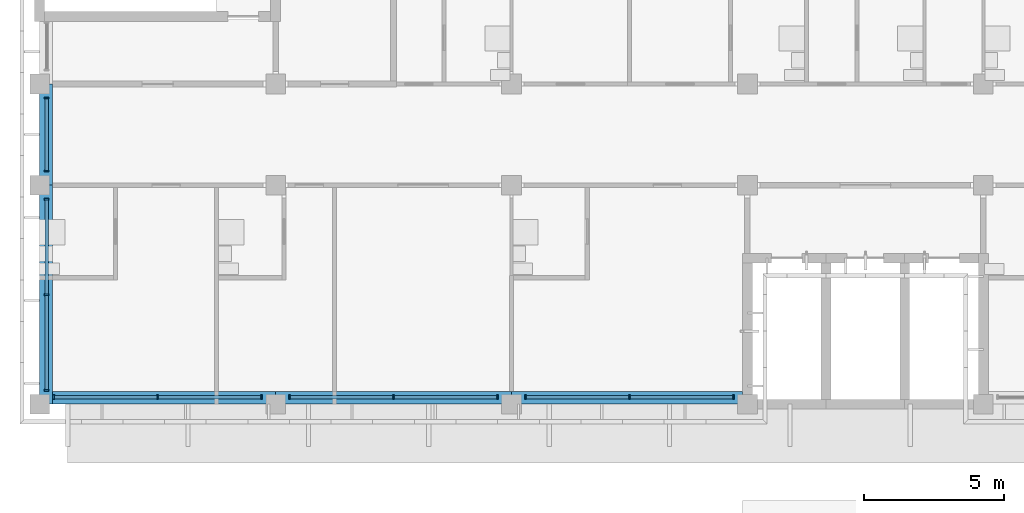
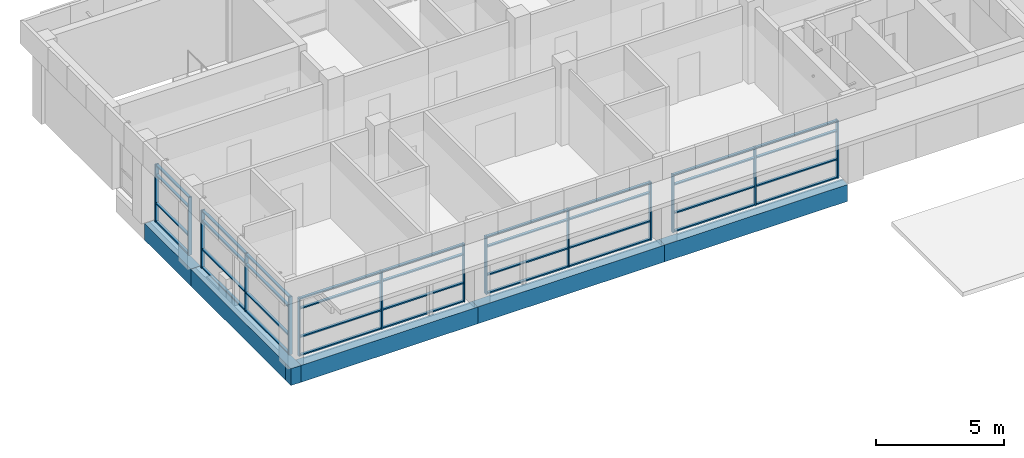
# One storey, part 2 of 36: 50 members, 5 beams, 5 elements without a shape of their own.
"""IFC4 building model written with IfcOpenShell, lengths in metres."""

from ifc_helpers import new_model, si_unit, direction, frame, origin, origin_2d, place, context, subcontext, project, spatial, rectangle, extrude, material, material_profile, profile_set, type_object, element, aggregate, save


model = new_model("IFC4")

# Units and contexts
model_context = context("Model", 3, precision=1e-05, world=origin(), true_north=direction((0.0, 1.0)))
body_context = subcontext(model_context, "Body", "Model", "MODEL_VIEW")
ifc_project = project(units=[si_unit("LENGTHUNIT", "METRE"), si_unit("AREAUNIT", "SQUARE_METRE"), si_unit("VOLUMEUNIT", "CUBIC_METRE"), si_unit("PLANEANGLEUNIT", "RADIAN"), si_unit("MASSUNIT", "GRAM", prefix="KILO")], contexts=[model_context])

# Site, building, storey
site_placement = place(None, origin())
site = spatial("IfcSite", under=ifc_project, at=site_placement, CompositionType="ELEMENT")
building_placement = place(site_placement, origin())
building = spatial("IfcBuilding", under=site, at=building_placement, Name="Bougainvillea Quay General Hospital", CompositionType="ELEMENT")
storey_placement = place(building_placement, frame((0.0, 0.0, 32.699951171875)))
storey = spatial("IfcBuildingStorey", under=building, at=storey_placement, Name="L07", CompositionType="ELEMENT", Elevation=32.699951171875)

# Curtain wall, members
ifc_material_1 = material(Name="Aluminium curtain wall system, powder-coated glazed", Category="aluminium")
curtain_wall_type_1 = type_object("IfcCurtainWallType", Name="Unitised curtain wall CW-2660", PredefinedType="NOTDEFINED", material=ifc_material_1)
curtain_wall_1_placement = place(storey_placement, origin())
curtain_wall_1 = element("IfcCurtainWall", 1, at=curtain_wall_1_placement, inside=storey, type_object=curtain_wall_type_1, Name="CW-4200 01", PredefinedType="NOTDEFINED")
ifc_material_2 = material(Name="Aluminium mullion, powder-coated charcoal", Category="aluminium")
ifc_material_profile_1 = material_profile(ifc_material_2, rectangle(XDim=0.159912109375, YDim=0.06005859375, at=origin_2d()))
ifc_profile_set_1 = profile_set([ifc_material_profile_1], Name="Aluminium mullion, powder-coated charcoal")
member_type_1 = type_object("IfcMemberType", Name="Curtain wall mullion 160x60", PredefinedType="MULLION", material=ifc_profile_set_1)
member_1_placement = place(storey_placement, frame((42.25, 151.300048828125, 0.0), z_axis=(0.0, 0.0, 1.0), x_axis=(1.0, 0.0, 0.0)))
member_1 = element("IfcMember", 2, at=member_1_placement, type_object=member_type_1, Name="CW-4200 mullion 1", PredefinedType="MULLION", context=body_context, shape_type="SweptSolid", body=[
    extrude(rectangle(XDim=0.159912109375, YDim=0.06005859375, at=origin_2d()), origin(), (0.0, 0.0, 1.0), 2.75),
])
member_2_placement = place(storey_placement, frame((42.25, 148.699951171875, 0.0), z_axis=(0.0, 0.0, 1.0), x_axis=(1.0, 0.0, 0.0)))
member_2 = element("IfcMember", 3, at=member_2_placement, type_object=member_type_1, Name="CW-4200 mullion 2", PredefinedType="MULLION", context=body_context, shape_type="SweptSolid", body=[
    extrude(rectangle(XDim=0.159912109375, YDim=0.06005859375, at=origin_2d()), origin(), (0.0, 0.0, 1.0), 2.75),
])

curtain_wall_type_2 = type_object("IfcCurtainWallType", Name="Unitised curtain wall CW-3430", PredefinedType="NOTDEFINED", material=ifc_material_1)
curtain_wall_2_placement = place(storey_placement, origin())
curtain_wall_2 = element("IfcCurtainWall", 4, at=curtain_wall_2_placement, inside=storey, type_object=curtain_wall_type_2, Name="CW-4200 02", PredefinedType="NOTDEFINED")
member_3_placement = place(storey_placement, frame((42.25, 147.699951171875, 0.0), z_axis=(0.0, 0.0, 1.0), x_axis=(1.0, 0.0, 0.0)))
member_3 = element("IfcMember", 5, at=member_3_placement, type_object=member_type_1, Name="CW-4200 mullion 1", PredefinedType="MULLION", context=body_context, shape_type="SweptSolid", body=[
    extrude(rectangle(XDim=0.159912109375, YDim=0.06005859375, at=origin_2d()), origin(), (0.0, 0.0, 1.0), 2.75),
])
member_4_placement = place(storey_placement, frame((42.25, 144.300048828125, 0.0), z_axis=(0.0, 0.0, 1.0), x_axis=(1.0, 0.0, 0.0)))
member_4 = element("IfcMember", 6, at=member_4_placement, type_object=member_type_1, Name="CW-4200 mullion 2", PredefinedType="MULLION", context=body_context, shape_type="SweptSolid", body=[
    extrude(rectangle(XDim=0.159912109375, YDim=0.06005859375, at=origin_2d()), origin(), (0.0, 0.0, 1.0), 2.75),
])
member_5_placement = place(storey_placement, frame((42.25, 140.89990234375, 0.0), z_axis=(0.0, 0.0, 1.0), x_axis=(1.0, 0.0, 0.0)))
member_5 = element("IfcMember", 7, at=member_5_placement, type_object=member_type_1, Name="CW-4200 mullion 3", PredefinedType="MULLION", context=body_context, shape_type="SweptSolid", body=[
    extrude(rectangle(XDim=0.159912109375, YDim=0.06005859375, at=origin_2d()), origin(), (0.0, 0.0, 1.0), 2.75),
])

curtain_wall_type_3 = type_object("IfcCurtainWallType", Name="Unitised curtain wall CW-3730", PredefinedType="NOTDEFINED", material=ifc_material_1)
curtain_wall_3_placement = place(storey_placement, origin())
curtain_wall_3 = element("IfcCurtainWall", 8, at=curtain_wall_3_placement, inside=storey, type_object=curtain_wall_type_3, Name="CW-4200 00", PredefinedType="NOTDEFINED")
member_6_placement = place(storey_placement, frame((42.5, 140.64990234375, 0.0), z_axis=(0.0, 0.0, 1.0), x_axis=(0.0, 1.0, 0.0)))
member_6 = element("IfcMember", 9, at=member_6_placement, type_object=member_type_1, Name="CW-4200 mullion 1", PredefinedType="MULLION", context=body_context, shape_type="SweptSolid", body=[
    extrude(rectangle(XDim=0.159912109375, YDim=0.06005859375, at=origin_2d()), origin(), (0.0, 0.0, 1.0), 2.75),
])
member_7_placement = place(storey_placement, frame((46.199951171875, 140.64990234375, 0.0), z_axis=(0.0, 0.0, 1.0), x_axis=(0.0, 1.0, 0.0)))
member_7 = element("IfcMember", 10, at=member_7_placement, type_object=member_type_1, Name="CW-4200 mullion 2", PredefinedType="MULLION", context=body_context, shape_type="SweptSolid", body=[
    extrude(rectangle(XDim=0.159912109375, YDim=0.06005859375, at=origin_2d()), origin(), (0.0, 0.0, 1.0), 2.75),
])
member_8_placement = place(storey_placement, frame((49.89990234375, 140.64990234375, 0.0), z_axis=(0.0, 0.0, 1.0), x_axis=(0.0, 1.0, 0.0)))
member_8 = element("IfcMember", 11, at=member_8_placement, type_object=member_type_1, Name="CW-4200 mullion 3", PredefinedType="MULLION", context=body_context, shape_type="SweptSolid", body=[
    extrude(rectangle(XDim=0.159912109375, YDim=0.06005859375, at=origin_2d()), origin(), (0.0, 0.0, 1.0), 2.75),
])

curtain_wall_4_placement = place(storey_placement, origin())
curtain_wall_4 = element("IfcCurtainWall", 12, at=curtain_wall_4_placement, inside=storey, type_object=curtain_wall_type_3, Name="CW-4200 01", PredefinedType="NOTDEFINED")
member_9_placement = place(storey_placement, frame((50.89990234375, 140.64990234375, 0.0), z_axis=(0.0, 0.0, 1.0), x_axis=(0.0, 1.0, 0.0)))
member_9 = element("IfcMember", 13, at=member_9_placement, type_object=member_type_1, Name="CW-4200 mullion 1", PredefinedType="MULLION", context=body_context, shape_type="SweptSolid", body=[
    extrude(rectangle(XDim=0.159912109375, YDim=0.06005859375, at=origin_2d()), origin(), (0.0, 0.0, 1.0), 2.75),
])
member_10_placement = place(storey_placement, frame((54.60009765625, 140.64990234375, 0.0), z_axis=(0.0, 0.0, 1.0), x_axis=(0.0, 1.0, 0.0)))
member_10 = element("IfcMember", 14, at=member_10_placement, type_object=member_type_1, Name="CW-4200 mullion 2", PredefinedType="MULLION", context=body_context, shape_type="SweptSolid", body=[
    extrude(rectangle(XDim=0.159912109375, YDim=0.06005859375, at=origin_2d()), origin(), (0.0, 0.0, 1.0), 2.75),
])
member_11_placement = place(storey_placement, frame((58.300048828125, 140.64990234375, 0.0), z_axis=(0.0, 0.0, 1.0), x_axis=(0.0, 1.0, 0.0)))
member_11 = element("IfcMember", 15, at=member_11_placement, type_object=member_type_1, Name="CW-4200 mullion 3", PredefinedType="MULLION", context=body_context, shape_type="SweptSolid", body=[
    extrude(rectangle(XDim=0.159912109375, YDim=0.06005859375, at=origin_2d()), origin(), (0.0, 0.0, 1.0), 2.75),
])

curtain_wall_5_placement = place(storey_placement, origin())
curtain_wall_5 = element("IfcCurtainWall", 16, at=curtain_wall_5_placement, inside=storey, type_object=curtain_wall_type_3, Name="CW-4200 02", PredefinedType="NOTDEFINED")
member_12_placement = place(storey_placement, frame((59.300048828125, 140.64990234375, 0.0), z_axis=(0.0, 0.0, 1.0), x_axis=(0.0, 1.0, 0.0)))
member_12 = element("IfcMember", 17, at=member_12_placement, type_object=member_type_1, Name="CW-4200 mullion 1", PredefinedType="MULLION", context=body_context, shape_type="SweptSolid", body=[
    extrude(rectangle(XDim=0.159912109375, YDim=0.06005859375, at=origin_2d()), origin(), (0.0, 0.0, 1.0), 2.75),
])
member_13_placement = place(storey_placement, frame((63.0, 140.64990234375, 0.0), z_axis=(0.0, 0.0, 1.0), x_axis=(0.0, 1.0, 0.0)))
member_13 = element("IfcMember", 18, at=member_13_placement, type_object=member_type_1, Name="CW-4200 mullion 2", PredefinedType="MULLION", context=body_context, shape_type="SweptSolid", body=[
    extrude(rectangle(XDim=0.159912109375, YDim=0.06005859375, at=origin_2d()), origin(), (0.0, 0.0, 1.0), 2.75),
])
member_14_placement = place(storey_placement, frame((66.699951171875, 140.64990234375, 0.0), z_axis=(0.0, 0.0, 1.0), x_axis=(0.0, 1.0, 0.0)))
member_14 = element("IfcMember", 19, at=member_14_placement, type_object=member_type_1, Name="CW-4200 mullion 3", PredefinedType="MULLION", context=body_context, shape_type="SweptSolid", body=[
    extrude(rectangle(XDim=0.159912109375, YDim=0.06005859375, at=origin_2d()), origin(), (0.0, 0.0, 1.0), 2.75),
])

# Member
ifc_material_3 = material(Name="Aluminium transom, powder-coated charcoal", Category="aluminium")
ifc_material_profile_2 = material_profile(ifc_material_3, rectangle(XDim=0.1201171875, YDim=0.06005859375, at=origin_2d()))
ifc_profile_set_2 = profile_set([ifc_material_profile_2], Name="Aluminium transom, powder-coated charcoal")
member_type_2 = type_object("IfcMemberType", Name="Curtain wall transom 120x60", PredefinedType="USERDEFINED", material=ifc_profile_set_2)
member_15_placement = place(storey_placement, frame((42.25, 151.27001953125, 0.030029296875), z_axis=(0.0, -1.0, 0.0), x_axis=(1.0, 0.0, 0.0)))
member_15 = element("IfcMember", 20, at=member_15_placement, type_object=member_type_2, Name="CW-4200 transom 1.1", ObjectType="TRANSOM", PredefinedType="USERDEFINED", context=body_context, shape_type="SweptSolid", body=[
    extrude(rectangle(XDim=0.1201171875, YDim=0.06005859375, at=origin_2d()), origin(), (0.0, 0.0, 1.0), 2.5400390625),
])

member_16_placement = place(storey_placement, frame((42.25, 151.27001953125, 0.900146484375), z_axis=(0.0, -1.0, 0.0), x_axis=(1.0, 0.0, 0.0)))
member_16 = element("IfcMember", 21, at=member_16_placement, type_object=member_type_2, Name="CW-4200 transom 1.2", ObjectType="TRANSOM", PredefinedType="USERDEFINED", context=body_context, shape_type="SweptSolid", body=[
    extrude(rectangle(XDim=0.1201171875, YDim=0.06005859375, at=origin_2d()), origin(), (0.0, 0.0, 1.0), 2.5400390625),
])

member_17_placement = place(storey_placement, frame((42.25, 151.27001953125, 2.25), z_axis=(0.0, -1.0, 0.0), x_axis=(1.0, 0.0, 0.0)))
member_17 = element("IfcMember", 22, at=member_17_placement, type_object=member_type_2, Name="CW-4200 transom 1.3", ObjectType="TRANSOM", PredefinedType="USERDEFINED", context=body_context, shape_type="SweptSolid", body=[
    extrude(rectangle(XDim=0.1201171875, YDim=0.06005859375, at=origin_2d()), origin(), (0.0, 0.0, 1.0), 2.5400390625),
])

member_18_placement = place(storey_placement, frame((42.25, 151.27001953125, 2.719970703125), z_axis=(0.0, -1.0, 0.0), x_axis=(1.0, 0.0, 0.0)))
member_18 = element("IfcMember", 23, at=member_18_placement, type_object=member_type_2, Name="CW-4200 transom 1.4", ObjectType="TRANSOM", PredefinedType="USERDEFINED", context=body_context, shape_type="SweptSolid", body=[
    extrude(rectangle(XDim=0.1201171875, YDim=0.06005859375, at=origin_2d()), origin(), (0.0, 0.0, 1.0), 2.5400390625),
])

aggregate(curtain_wall_1, [member_1, member_2, member_15, member_16, member_17, member_18])

member_19_placement = place(storey_placement, frame((42.25, 147.669921875, 0.030029296875), z_axis=(0.0, -1.0, 0.0), x_axis=(1.0, 0.0, 0.0)))
member_19 = element("IfcMember", 24, at=member_19_placement, type_object=member_type_2, Name="CW-4200 transom 1.1", ObjectType="TRANSOM", PredefinedType="USERDEFINED", context=body_context, shape_type="SweptSolid", body=[
    extrude(rectangle(XDim=0.1201171875, YDim=0.06005859375, at=origin_2d()), origin(), (0.0, 0.0, 1.0), 3.33984375),
])

member_20_placement = place(storey_placement, frame((42.25, 147.669921875, 0.900146484375), z_axis=(0.0, -1.0, 0.0), x_axis=(1.0, 0.0, 0.0)))
member_20 = element("IfcMember", 25, at=member_20_placement, type_object=member_type_2, Name="CW-4200 transom 1.2", ObjectType="TRANSOM", PredefinedType="USERDEFINED", context=body_context, shape_type="SweptSolid", body=[
    extrude(rectangle(XDim=0.1201171875, YDim=0.06005859375, at=origin_2d()), origin(), (0.0, 0.0, 1.0), 3.33984375),
])

member_21_placement = place(storey_placement, frame((42.25, 147.669921875, 2.25), z_axis=(0.0, -1.0, 0.0), x_axis=(1.0, 0.0, 0.0)))
member_21 = element("IfcMember", 26, at=member_21_placement, type_object=member_type_2, Name="CW-4200 transom 1.3", ObjectType="TRANSOM", PredefinedType="USERDEFINED", context=body_context, shape_type="SweptSolid", body=[
    extrude(rectangle(XDim=0.1201171875, YDim=0.06005859375, at=origin_2d()), origin(), (0.0, 0.0, 1.0), 3.33984375),
])

member_22_placement = place(storey_placement, frame((42.25, 147.669921875, 2.719970703125), z_axis=(0.0, -1.0, 0.0), x_axis=(1.0, 0.0, 0.0)))
member_22 = element("IfcMember", 27, at=member_22_placement, type_object=member_type_2, Name="CW-4200 transom 1.4", ObjectType="TRANSOM", PredefinedType="USERDEFINED", context=body_context, shape_type="SweptSolid", body=[
    extrude(rectangle(XDim=0.1201171875, YDim=0.06005859375, at=origin_2d()), origin(), (0.0, 0.0, 1.0), 3.33984375),
])

member_23_placement = place(storey_placement, frame((42.25, 144.27001953125, 0.030029296875), z_axis=(0.0, -1.0, 0.0), x_axis=(1.0, 0.0, 0.0)))
member_23 = element("IfcMember", 28, at=member_23_placement, type_object=member_type_2, Name="CW-4200 transom 2.1", ObjectType="TRANSOM", PredefinedType="USERDEFINED", context=body_context, shape_type="SweptSolid", body=[
    extrude(rectangle(XDim=0.1201171875, YDim=0.06005859375, at=origin_2d()), origin(), (0.0, 0.0, 1.0), 3.340087890625),
])

member_24_placement = place(storey_placement, frame((42.25, 144.27001953125, 0.900146484375), z_axis=(0.0, -1.0, 0.0), x_axis=(1.0, 0.0, 0.0)))
member_24 = element("IfcMember", 29, at=member_24_placement, type_object=member_type_2, Name="CW-4200 transom 2.2", ObjectType="TRANSOM", PredefinedType="USERDEFINED", context=body_context, shape_type="SweptSolid", body=[
    extrude(rectangle(XDim=0.1201171875, YDim=0.06005859375, at=origin_2d()), origin(), (0.0, 0.0, 1.0), 3.340087890625),
])

member_25_placement = place(storey_placement, frame((42.25, 144.27001953125, 2.25), z_axis=(0.0, -1.0, 0.0), x_axis=(1.0, 0.0, 0.0)))
member_25 = element("IfcMember", 30, at=member_25_placement, type_object=member_type_2, Name="CW-4200 transom 2.3", ObjectType="TRANSOM", PredefinedType="USERDEFINED", context=body_context, shape_type="SweptSolid", body=[
    extrude(rectangle(XDim=0.1201171875, YDim=0.06005859375, at=origin_2d()), origin(), (0.0, 0.0, 1.0), 3.340087890625),
])

member_26_placement = place(storey_placement, frame((42.25, 144.27001953125, 2.719970703125), z_axis=(0.0, -1.0, 0.0), x_axis=(1.0, 0.0, 0.0)))
member_26 = element("IfcMember", 31, at=member_26_placement, type_object=member_type_2, Name="CW-4200 transom 2.4", ObjectType="TRANSOM", PredefinedType="USERDEFINED", context=body_context, shape_type="SweptSolid", body=[
    extrude(rectangle(XDim=0.1201171875, YDim=0.06005859375, at=origin_2d()), origin(), (0.0, 0.0, 1.0), 3.340087890625),
])

aggregate(curtain_wall_2, [member_3, member_4, member_5, member_19, member_20, member_21, member_22, member_23, member_24, member_25, member_26])

member_27_placement = place(storey_placement, frame((42.530029296875, 140.64990234375, 0.030029296875), z_axis=(1.0, 0.0, 0.0), x_axis=(0.0, 1.0, 0.0)))
member_27 = element("IfcMember", 32, at=member_27_placement, type_object=member_type_2, Name="CW-4200 transom 1.1", ObjectType="TRANSOM", PredefinedType="USERDEFINED", context=body_context, shape_type="SweptSolid", body=[
    extrude(rectangle(XDim=0.1201171875, YDim=0.06005859375, at=origin_2d()), origin(), (0.0, 0.0, 1.0), 3.639892578125),
])

member_28_placement = place(storey_placement, frame((42.530029296875, 140.64990234375, 0.900146484375), z_axis=(1.0, 0.0, 0.0), x_axis=(0.0, 1.0, 0.0)))
member_28 = element("IfcMember", 33, at=member_28_placement, type_object=member_type_2, Name="CW-4200 transom 1.2", ObjectType="TRANSOM", PredefinedType="USERDEFINED", context=body_context, shape_type="SweptSolid", body=[
    extrude(rectangle(XDim=0.1201171875, YDim=0.06005859375, at=origin_2d()), origin(), (0.0, 0.0, 1.0), 3.639892578125),
])

member_29_placement = place(storey_placement, frame((42.530029296875, 140.64990234375, 2.25), z_axis=(1.0, 0.0, 0.0), x_axis=(0.0, 1.0, 0.0)))
member_29 = element("IfcMember", 34, at=member_29_placement, type_object=member_type_2, Name="CW-4200 transom 1.3", ObjectType="TRANSOM", PredefinedType="USERDEFINED", context=body_context, shape_type="SweptSolid", body=[
    extrude(rectangle(XDim=0.1201171875, YDim=0.06005859375, at=origin_2d()), origin(), (0.0, 0.0, 1.0), 3.639892578125),
])

member_30_placement = place(storey_placement, frame((42.530029296875, 140.64990234375, 2.719970703125), z_axis=(1.0, 0.0, 0.0), x_axis=(0.0, 1.0, 0.0)))
member_30 = element("IfcMember", 35, at=member_30_placement, type_object=member_type_2, Name="CW-4200 transom 1.4", ObjectType="TRANSOM", PredefinedType="USERDEFINED", context=body_context, shape_type="SweptSolid", body=[
    extrude(rectangle(XDim=0.1201171875, YDim=0.06005859375, at=origin_2d()), origin(), (0.0, 0.0, 1.0), 3.639892578125),
])

member_31_placement = place(storey_placement, frame((46.22998046875, 140.64990234375, 0.030029296875), z_axis=(1.0, 0.0, 0.0), x_axis=(0.0, 1.0, 0.0)))
member_31 = element("IfcMember", 36, at=member_31_placement, type_object=member_type_2, Name="CW-4200 transom 2.1", ObjectType="TRANSOM", PredefinedType="USERDEFINED", context=body_context, shape_type="SweptSolid", body=[
    extrude(rectangle(XDim=0.1201171875, YDim=0.06005859375, at=origin_2d()), origin(), (0.0, 0.0, 1.0), 3.64013671875),
])

member_32_placement = place(storey_placement, frame((46.22998046875, 140.64990234375, 0.900146484375), z_axis=(1.0, 0.0, 0.0), x_axis=(0.0, 1.0, 0.0)))
member_32 = element("IfcMember", 37, at=member_32_placement, type_object=member_type_2, Name="CW-4200 transom 2.2", ObjectType="TRANSOM", PredefinedType="USERDEFINED", context=body_context, shape_type="SweptSolid", body=[
    extrude(rectangle(XDim=0.1201171875, YDim=0.06005859375, at=origin_2d()), origin(), (0.0, 0.0, 1.0), 3.64013671875),
])

member_33_placement = place(storey_placement, frame((46.22998046875, 140.64990234375, 2.25), z_axis=(1.0, 0.0, 0.0), x_axis=(0.0, 1.0, 0.0)))
member_33 = element("IfcMember", 38, at=member_33_placement, type_object=member_type_2, Name="CW-4200 transom 2.3", ObjectType="TRANSOM", PredefinedType="USERDEFINED", context=body_context, shape_type="SweptSolid", body=[
    extrude(rectangle(XDim=0.1201171875, YDim=0.06005859375, at=origin_2d()), origin(), (0.0, 0.0, 1.0), 3.64013671875),
])

member_34_placement = place(storey_placement, frame((46.22998046875, 140.64990234375, 2.719970703125), z_axis=(1.0, 0.0, 0.0), x_axis=(0.0, 1.0, 0.0)))
member_34 = element("IfcMember", 39, at=member_34_placement, type_object=member_type_2, Name="CW-4200 transom 2.4", ObjectType="TRANSOM", PredefinedType="USERDEFINED", context=body_context, shape_type="SweptSolid", body=[
    extrude(rectangle(XDim=0.1201171875, YDim=0.06005859375, at=origin_2d()), origin(), (0.0, 0.0, 1.0), 3.64013671875),
])

aggregate(curtain_wall_3, [member_6, member_7, member_8, member_27, member_28, member_29, member_30, member_31, member_32, member_33, member_34])

member_35_placement = place(storey_placement, frame((50.929931640625, 140.64990234375, 0.030029296875), z_axis=(1.0, 0.0, 0.0), x_axis=(0.0, 1.0, 0.0)))
member_35 = element("IfcMember", 40, at=member_35_placement, type_object=member_type_2, Name="CW-4200 transom 1.1", ObjectType="TRANSOM", PredefinedType="USERDEFINED", context=body_context, shape_type="SweptSolid", body=[
    extrude(rectangle(XDim=0.1201171875, YDim=0.06005859375, at=origin_2d()), origin(), (0.0, 0.0, 1.0), 3.64013671875),
])

member_36_placement = place(storey_placement, frame((50.929931640625, 140.64990234375, 0.900146484375), z_axis=(1.0, 0.0, 0.0), x_axis=(0.0, 1.0, 0.0)))
member_36 = element("IfcMember", 41, at=member_36_placement, type_object=member_type_2, Name="CW-4200 transom 1.2", ObjectType="TRANSOM", PredefinedType="USERDEFINED", context=body_context, shape_type="SweptSolid", body=[
    extrude(rectangle(XDim=0.1201171875, YDim=0.06005859375, at=origin_2d()), origin(), (0.0, 0.0, 1.0), 3.64013671875),
])

member_37_placement = place(storey_placement, frame((50.929931640625, 140.64990234375, 2.25), z_axis=(1.0, 0.0, 0.0), x_axis=(0.0, 1.0, 0.0)))
member_37 = element("IfcMember", 42, at=member_37_placement, type_object=member_type_2, Name="CW-4200 transom 1.3", ObjectType="TRANSOM", PredefinedType="USERDEFINED", context=body_context, shape_type="SweptSolid", body=[
    extrude(rectangle(XDim=0.1201171875, YDim=0.06005859375, at=origin_2d()), origin(), (0.0, 0.0, 1.0), 3.64013671875),
])

member_38_placement = place(storey_placement, frame((50.929931640625, 140.64990234375, 2.719970703125), z_axis=(1.0, 0.0, 0.0), x_axis=(0.0, 1.0, 0.0)))
member_38 = element("IfcMember", 43, at=member_38_placement, type_object=member_type_2, Name="CW-4200 transom 1.4", ObjectType="TRANSOM", PredefinedType="USERDEFINED", context=body_context, shape_type="SweptSolid", body=[
    extrude(rectangle(XDim=0.1201171875, YDim=0.06005859375, at=origin_2d()), origin(), (0.0, 0.0, 1.0), 3.64013671875),
])

member_39_placement = place(storey_placement, frame((54.6298828125, 140.64990234375, 0.030029296875), z_axis=(1.0, 0.0, 0.0), x_axis=(0.0, 1.0, 0.0)))
member_39 = element("IfcMember", 44, at=member_39_placement, type_object=member_type_2, Name="CW-4200 transom 2.1", ObjectType="TRANSOM", PredefinedType="USERDEFINED", context=body_context, shape_type="SweptSolid", body=[
    extrude(rectangle(XDim=0.1201171875, YDim=0.06005859375, at=origin_2d()), origin(), (0.0, 0.0, 1.0), 3.64013671875),
])

member_40_placement = place(storey_placement, frame((54.6298828125, 140.64990234375, 0.900146484375), z_axis=(1.0, 0.0, 0.0), x_axis=(0.0, 1.0, 0.0)))
member_40 = element("IfcMember", 45, at=member_40_placement, type_object=member_type_2, Name="CW-4200 transom 2.2", ObjectType="TRANSOM", PredefinedType="USERDEFINED", context=body_context, shape_type="SweptSolid", body=[
    extrude(rectangle(XDim=0.1201171875, YDim=0.06005859375, at=origin_2d()), origin(), (0.0, 0.0, 1.0), 3.64013671875),
])

member_41_placement = place(storey_placement, frame((54.6298828125, 140.64990234375, 2.25), z_axis=(1.0, 0.0, 0.0), x_axis=(0.0, 1.0, 0.0)))
member_41 = element("IfcMember", 46, at=member_41_placement, type_object=member_type_2, Name="CW-4200 transom 2.3", ObjectType="TRANSOM", PredefinedType="USERDEFINED", context=body_context, shape_type="SweptSolid", body=[
    extrude(rectangle(XDim=0.1201171875, YDim=0.06005859375, at=origin_2d()), origin(), (0.0, 0.0, 1.0), 3.64013671875),
])

member_42_placement = place(storey_placement, frame((54.6298828125, 140.64990234375, 2.719970703125), z_axis=(1.0, 0.0, 0.0), x_axis=(0.0, 1.0, 0.0)))
member_42 = element("IfcMember", 47, at=member_42_placement, type_object=member_type_2, Name="CW-4200 transom 2.4", ObjectType="TRANSOM", PredefinedType="USERDEFINED", context=body_context, shape_type="SweptSolid", body=[
    extrude(rectangle(XDim=0.1201171875, YDim=0.06005859375, at=origin_2d()), origin(), (0.0, 0.0, 1.0), 3.64013671875),
])

aggregate(curtain_wall_4, [member_9, member_10, member_11, member_35, member_36, member_37, member_38, member_39, member_40, member_41, member_42])

member_43_placement = place(storey_placement, frame((59.330078125, 140.64990234375, 0.030029296875), z_axis=(1.0, 0.0, 0.0), x_axis=(0.0, 1.0, 0.0)))
member_43 = element("IfcMember", 48, at=member_43_placement, type_object=member_type_2, Name="CW-4200 transom 1.1", ObjectType="TRANSOM", PredefinedType="USERDEFINED", context=body_context, shape_type="SweptSolid", body=[
    extrude(rectangle(XDim=0.1201171875, YDim=0.06005859375, at=origin_2d()), origin(), (0.0, 0.0, 1.0), 3.639892578125),
])

member_44_placement = place(storey_placement, frame((59.330078125, 140.64990234375, 0.900146484375), z_axis=(1.0, 0.0, 0.0), x_axis=(0.0, 1.0, 0.0)))
member_44 = element("IfcMember", 49, at=member_44_placement, type_object=member_type_2, Name="CW-4200 transom 1.2", ObjectType="TRANSOM", PredefinedType="USERDEFINED", context=body_context, shape_type="SweptSolid", body=[
    extrude(rectangle(XDim=0.1201171875, YDim=0.06005859375, at=origin_2d()), origin(), (0.0, 0.0, 1.0), 3.639892578125),
])

member_45_placement = place(storey_placement, frame((59.330078125, 140.64990234375, 2.25), z_axis=(1.0, 0.0, 0.0), x_axis=(0.0, 1.0, 0.0)))
member_45 = element("IfcMember", 50, at=member_45_placement, type_object=member_type_2, Name="CW-4200 transom 1.3", ObjectType="TRANSOM", PredefinedType="USERDEFINED", context=body_context, shape_type="SweptSolid", body=[
    extrude(rectangle(XDim=0.1201171875, YDim=0.06005859375, at=origin_2d()), origin(), (0.0, 0.0, 1.0), 3.639892578125),
])

member_46_placement = place(storey_placement, frame((59.330078125, 140.64990234375, 2.719970703125), z_axis=(1.0, 0.0, 0.0), x_axis=(0.0, 1.0, 0.0)))
member_46 = element("IfcMember", 51, at=member_46_placement, type_object=member_type_2, Name="CW-4200 transom 1.4", ObjectType="TRANSOM", PredefinedType="USERDEFINED", context=body_context, shape_type="SweptSolid", body=[
    extrude(rectangle(XDim=0.1201171875, YDim=0.06005859375, at=origin_2d()), origin(), (0.0, 0.0, 1.0), 3.639892578125),
])

member_47_placement = place(storey_placement, frame((63.030029296875, 140.64990234375, 0.030029296875), z_axis=(1.0, 0.0, 0.0), x_axis=(0.0, 1.0, 0.0)))
member_47 = element("IfcMember", 52, at=member_47_placement, type_object=member_type_2, Name="CW-4200 transom 2.1", ObjectType="TRANSOM", PredefinedType="USERDEFINED", context=body_context, shape_type="SweptSolid", body=[
    extrude(rectangle(XDim=0.1201171875, YDim=0.06005859375, at=origin_2d()), origin(), (0.0, 0.0, 1.0), 3.639892578125),
])

member_48_placement = place(storey_placement, frame((63.030029296875, 140.64990234375, 0.900146484375), z_axis=(1.0, 0.0, 0.0), x_axis=(0.0, 1.0, 0.0)))
member_48 = element("IfcMember", 53, at=member_48_placement, type_object=member_type_2, Name="CW-4200 transom 2.2", ObjectType="TRANSOM", PredefinedType="USERDEFINED", context=body_context, shape_type="SweptSolid", body=[
    extrude(rectangle(XDim=0.1201171875, YDim=0.06005859375, at=origin_2d()), origin(), (0.0, 0.0, 1.0), 3.639892578125),
])

member_49_placement = place(storey_placement, frame((63.030029296875, 140.64990234375, 2.25), z_axis=(1.0, 0.0, 0.0), x_axis=(0.0, 1.0, 0.0)))
member_49 = element("IfcMember", 54, at=member_49_placement, type_object=member_type_2, Name="CW-4200 transom 2.3", ObjectType="TRANSOM", PredefinedType="USERDEFINED", context=body_context, shape_type="SweptSolid", body=[
    extrude(rectangle(XDim=0.1201171875, YDim=0.06005859375, at=origin_2d()), origin(), (0.0, 0.0, 1.0), 3.639892578125),
])

member_50_placement = place(storey_placement, frame((63.030029296875, 140.64990234375, 2.719970703125), z_axis=(1.0, 0.0, 0.0), x_axis=(0.0, 1.0, 0.0)))
member_50 = element("IfcMember", 55, at=member_50_placement, type_object=member_type_2, Name="CW-4200 transom 2.4", ObjectType="TRANSOM", PredefinedType="USERDEFINED", context=body_context, shape_type="SweptSolid", body=[
    extrude(rectangle(XDim=0.1201171875, YDim=0.06005859375, at=origin_2d()), origin(), (0.0, 0.0, 1.0), 3.639892578125),
])

aggregate(curtain_wall_5, [member_12, member_13, member_14, member_43, member_44, member_45, member_46, member_47, member_48, member_49, member_50])

# Beams
ifc_material_4 = material(Name="Concrete C40", Category="concrete")
ifc_material_profile_3 = material_profile(ifc_material_4, rectangle(XDim=0.449951171875, YDim=0.800048828125, at=origin_2d()))
ifc_profile_set_3 = profile_set([ifc_material_profile_3], Name="Concrete C40")
beam_type = type_object("IfcBeamType", Name="RC BEAM 450x800 C40", PredefinedType="BEAM", material=ifc_profile_set_3)
beam_1_placement = place(storey_placement, frame((42.22509765625, 151.800048828125, -0.699951171875), z_axis=(0.0, -1.0, 0.0), x_axis=(1.0, 0.0, 0.0)))
element("IfcBeam", 56, at=beam_1_placement, inside=storey, type_object=beam_type, Name="Edge beam L07", PredefinedType="BEAM", context=body_context, shape_type="SweptSolid", body=[
    extrude(rectangle(XDim=0.449951171875, YDim=0.800048828125, at=origin_2d()), origin(), (0.0, 0.0, 1.0), 3.60009765625),
])
beam_2_placement = place(storey_placement, frame((42.22509765625, 148.199951171875, -0.699951171875), z_axis=(0.0, -1.0, 0.0), x_axis=(1.0, 0.0, 0.0)))
element("IfcBeam", 57, at=beam_2_placement, inside=storey, type_object=beam_type, Name="Edge beam L07", PredefinedType="BEAM", context=body_context, shape_type="SweptSolid", body=[
    extrude(rectangle(XDim=0.449951171875, YDim=0.800048828125, at=origin_2d()), origin(), (0.0, 0.0, 1.0), 7.800048828125),
])
beam_3_placement = place(storey_placement, frame((42.0, 140.625, -0.699951171875), z_axis=(1.0, 0.0, 0.0), x_axis=(0.0, 1.0, 0.0)))
element("IfcBeam", 58, at=beam_3_placement, inside=storey, type_object=beam_type, Name="Edge beam L07", PredefinedType="BEAM", context=body_context, shape_type="SweptSolid", body=[
    extrude(rectangle(XDim=0.449951171875, YDim=0.800048828125, at=origin_2d()), origin(), (0.0, 0.0, 1.0), 8.39990234375),
])
beam_4_placement = place(storey_placement, frame((50.39990234375, 140.625, -0.699951171875), z_axis=(1.0, 0.0, 0.0), x_axis=(0.0, 1.0, 0.0)))
element("IfcBeam", 59, at=beam_4_placement, inside=storey, type_object=beam_type, Name="Edge beam L07", PredefinedType="BEAM", context=body_context, shape_type="SweptSolid", body=[
    extrude(rectangle(XDim=0.449951171875, YDim=0.800048828125, at=origin_2d()), origin(), (0.0, 0.0, 1.0), 8.400146484375),
])
beam_5_placement = place(storey_placement, frame((58.800048828125, 140.625, -0.699951171875), z_axis=(1.0, 0.0, 0.0), x_axis=(0.0, 1.0, 0.0)))
element("IfcBeam", 60, at=beam_5_placement, inside=storey, type_object=beam_type, Name="Edge beam L07", PredefinedType="BEAM", context=body_context, shape_type="SweptSolid", body=[
    extrude(rectangle(XDim=0.449951171875, YDim=0.800048828125, at=origin_2d()), origin(), (0.0, 0.0, 1.0), 8.224853515625),
])

save(model, "model.ifc")
